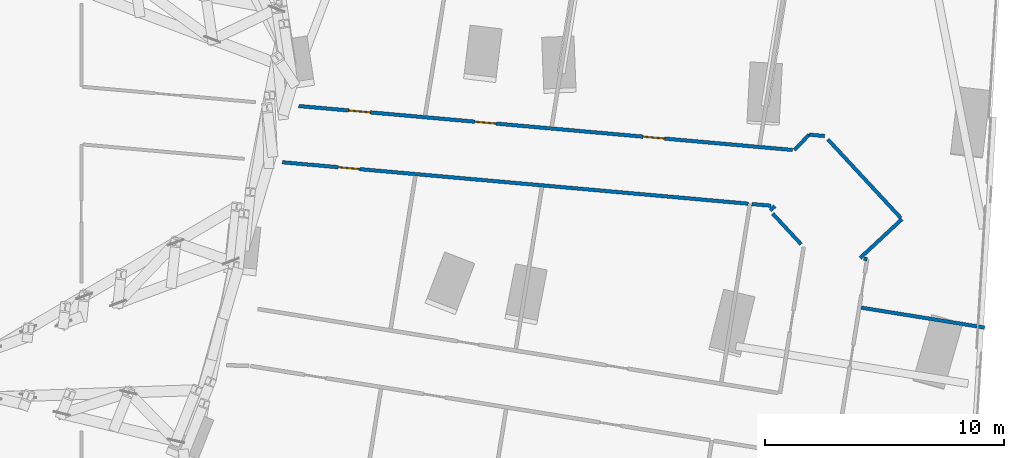
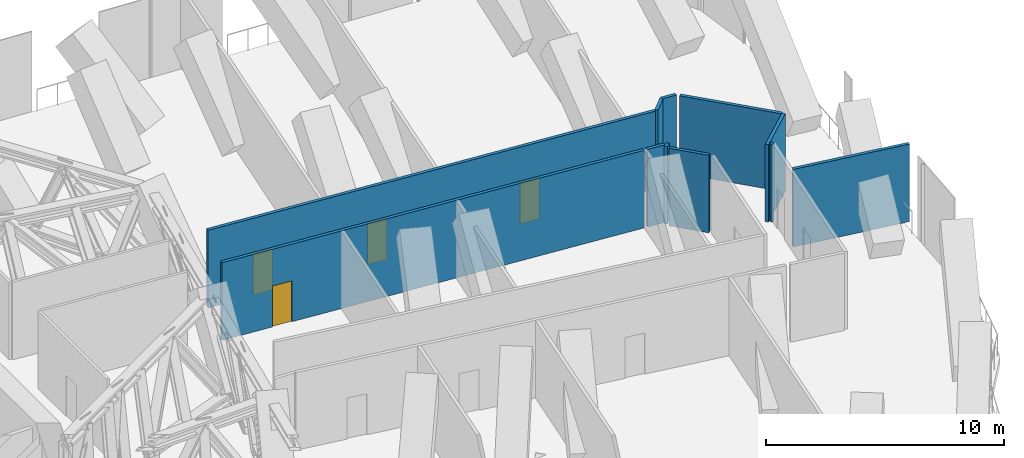
# One storey, part 31 of 39: 11 walls, 4 doors, 4 openings.
"""IFC4 building model written with IfcOpenShell, lengths in metres."""

from ifc_helpers import new_model, si_unit, direction, frame, frame_2d, origin, place, context, subcontext, project, spatial, rectangle, extrude, material, layer, layer_set, type_object, element, fill, save


model = new_model("IFC4")

# Units and contexts
model_context = context("Model", 3, precision=1e-05, world=origin(), true_north=direction((0.0, 1.0)))
body_context = subcontext(model_context, "Body", "Model", "MODEL_VIEW")
ifc_project = project(units=[si_unit("LENGTHUNIT", "METRE"), si_unit("AREAUNIT", "SQUARE_METRE"), si_unit("VOLUMEUNIT", "CUBIC_METRE"), si_unit("PLANEANGLEUNIT", "RADIAN"), si_unit("MASSUNIT", "GRAM", prefix="KILO")], contexts=[model_context])

# Site, building, storey
site_placement = place(None, origin())
site = spatial("IfcSite", under=ifc_project, at=site_placement, CompositionType="ELEMENT")
building_placement = place(site_placement, origin())
building = spatial("IfcBuilding", under=site, at=building_placement, Name="Orlundy Tower", CompositionType="ELEMENT")
storey_placement = place(building_placement, frame((0.0, 0.0, 141.199951171875)))
storey = spatial("IfcBuildingStorey", under=building, at=storey_placement, Name="L36", CompositionType="ELEMENT", Elevation=141.199951171875)

# Walls
ifc_material_1 = material(Name="Blockwork shaft wall", Category="masonry")
ifc_layer = layer(ifc_material_1, 0.14990234375)
ifc_layer_set = layer_set([ifc_layer], Name="Floor shaft wall 150")
wall_type = type_object("IfcWallType", Name="Floor shaft wall 150", PredefinedType="PARTITIONING", material=ifc_layer_set)
wall_1_placement = place(storey_placement, frame((51.552978515625, -2.528076171875, 0.0), z_axis=(0.0, 0.0, 1.0), x_axis=(0.680328051683, -0.732907730954, 0.0)))
element("IfcWall", 1, at=wall_1_placement, inside=storey, type_object=wall_type, Name="wall-int-L36-009", PredefinedType="PARTITIONING", context=body_context, shape_type="SweptSolid", body=[
    extrude(rectangle(XDim=1.75048828125, YDim=0.14990234375, at=frame_2d((0.875244140625, 0.0))), origin(), (0.0, 0.0, 1.0), 3.97998046875),
])
wall_2_placement = place(storey_placement, frame((53.862060546875, 0.571044921875, 0.0), z_axis=(0.0, 0.0, 1.0), x_axis=(0.680553713689, -0.732698193517, 0.0)))
element("IfcWall", 2, at=wall_2_placement, inside=storey, type_object=wall_type, Name="wall-int-L36-010", PredefinedType="PARTITIONING", context=body_context, shape_type="SweptSolid", body=[
    extrude(rectangle(XDim=4.47119140625, YDim=0.14990234375, at=frame_2d((2.235595703125, 0.0))), origin(), (0.0, 0.0, 1.0), 3.97998046875),
])
wall_3_placement = place(storey_placement, frame((55.251953125, -6.458984375, 0.0), z_axis=(0.0, 0.0, 1.0), x_axis=(0.987213656908, -0.1594026211, 0.0)))
element("IfcWall", 3, at=wall_3_placement, inside=storey, type_object=wall_type, Name="wall-int-L36-024", PredefinedType="PARTITIONING", context=body_context, shape_type="SweptSolid", body=[
    extrude(rectangle(XDim=5.23193359375, YDim=0.14990234375, at=frame_2d((2.615966796875, 0.0))), origin(), (0.0, 0.0, 1.0), 3.97998046875),
])
wall_4_placement = place(storey_placement, frame((55.35888671875, -4.409912109375, 0.0), z_axis=(0.0, 0.0, 1.0), x_axis=(0.987283513707, -0.158969379326, 0.0)))
element("IfcWall", 4, at=wall_4_placement, inside=storey, type_object=wall_type, Name="wall-int-L36-025", PredefinedType="PARTITIONING", context=body_context, shape_type="SweptSolid", body=[
    extrude(rectangle(XDim=0.14599609375, YDim=0.14990234375, at=frame_2d((0.072998046875, 0.0))), origin(), (0.0, 0.0, 1.0), 3.97998046875),
])

# Wall, opening, door
wall_5_placement = place(storey_placement, frame((50.532958984375, -2.114013671875, 0.0), z_axis=(0.0, 0.0, 1.0), x_axis=(-0.996066129814, 0.088613007162, 0.0)))
wall_5 = element("IfcWall", 5, at=wall_5_placement, inside=storey, type_object=wall_type, Name="wall-int-L36-028", PredefinedType="PARTITIONING", context=body_context, shape_type="SweptSolid", body=[
    extrude(rectangle(XDim=19.555908203125, YDim=0.14990234375, at=frame_2d((9.77783203125, 0.0))), origin(), (0.0, 0.0, 1.0), 3.97998046875),
])
opening_1_placement = place(wall_5_placement, frame((16.310302734375, 0.0, 0.0)))
opening_1 = element("IfcOpeningElement", 6, at=opening_1_placement, cuts=wall_5, Name="Opening 27105", PredefinedType="OPENING", context=body_context, shape_type="SweptSolid", body=[
    extrude(rectangle(XDim=0.89990234375, YDim=2.10009765625, at=frame_2d((0.449951171875, 1.050048828125))), frame((0.0, 0.0849609375, 0.0), z_axis=(0.0, -1.0, 0.0), x_axis=(1.0, 0.0, 0.0)), (0.0, 0.0, 1.0), 0.169921875),
])
ifc_material_2 = material(Name="Timber door leaf", Category="wood")
door_type = type_object("IfcDoorType", Name="Floor door single 900 FD60", OperationType="NOTDEFINED", PredefinedType="DOOR", material=ifc_material_2)
door_1_placement = place(opening_1_placement, origin())
door_1 = element("IfcDoor", 7, at=door_1_placement, inside=storey, type_object=door_type, Name="Door 27105", OperationType="SINGLE_SWING_RIGHT", OverallHeight=2.10009765625, OverallWidth=0.89990234375, PredefinedType="DOOR", context=body_context, shape_type="SweptSolid", body=[
    extrude(rectangle(XDim=0.89990234375, YDim=2.10009765625, at=frame_2d((0.449951171875, 1.050048828125))), frame((0.0, 0.02490234375, 0.0), z_axis=(0.0, -1.0, 0.0), x_axis=(1.0, 0.0, 0.0)), (0.0, 0.0, 1.0), 0.050048828125),
])
fill(opening_1, door_1)

# Wall
wall_6_placement = place(storey_placement, frame((50.68310546875, -2.1279296875, 0.0), z_axis=(0.0, 0.0, 1.0), x_axis=(0.996058889933, -0.088694350358, 0.0)))
element("IfcWall", 8, at=wall_6_placement, inside=storey, type_object=wall_type, Name="wall-int-L36-029", PredefinedType="PARTITIONING", context=body_context, shape_type="SweptSolid", body=[
    extrude(rectangle(XDim=0.801025390625, YDim=0.14990234375, at=frame_2d((0.400390625, 0.0))), origin(), (0.0, 0.0, 1.0), 3.97998046875),
])

# Wall, openings, doors
wall_7_placement = place(storey_placement, frame((31.740966796875, 1.968994140625, 0.0), z_axis=(0.0, 0.0, 1.0), x_axis=(0.99606607926, -0.088613575412, 0.0)))
wall_7 = element("IfcWall", 9, at=wall_7_placement, inside=storey, type_object=wall_type, Name="wall-int-L36-031", PredefinedType="PARTITIONING", context=body_context, shape_type="SweptSolid", body=[
    extrude(rectangle(XDim=20.718505859375, YDim=0.14990234375, at=frame_2d((10.359375, 0.0))), origin(), (0.0, 0.0, 1.0), 3.97998046875),
])
opening_2_placement = place(wall_7_placement, frame((2.10009765625, 0.0, 0.0)))
opening_2 = element("IfcOpeningElement", 10, at=opening_2_placement, cuts=wall_7, Name="Opening 27102", PredefinedType="OPENING", context=body_context, shape_type="SweptSolid", body=[
    extrude(rectangle(XDim=0.89990234375, YDim=2.10009765625, at=frame_2d((0.449951171875, 1.050048828125))), frame((0.0, 0.0849609375, 0.0), z_axis=(0.0, -1.0, 0.0), x_axis=(1.0, 0.0, 0.0)), (0.0, 0.0, 1.0), 0.169921875),
])
opening_3_placement = place(wall_7_placement, frame((7.391845703125, 0.0, 0.0)))
opening_3 = element("IfcOpeningElement", 11, at=opening_3_placement, cuts=wall_7, Name="Opening 27103", PredefinedType="OPENING", context=body_context, shape_type="SweptSolid", body=[
    extrude(rectangle(XDim=0.89990234375, YDim=2.10009765625, at=frame_2d((0.449951171875, 1.050048828125))), frame((0.0, 0.0849609375, 0.0), z_axis=(0.0, -1.0, 0.0), x_axis=(1.0, 0.0, 0.0)), (0.0, 0.0, 1.0), 0.169921875),
])
opening_4_placement = place(wall_7_placement, frame((14.45458984375, 0.0, 0.0)))
opening_4 = element("IfcOpeningElement", 12, at=opening_4_placement, cuts=wall_7, Name="Opening 27104", PredefinedType="OPENING", context=body_context, shape_type="SweptSolid", body=[
    extrude(rectangle(XDim=0.89990234375, YDim=2.10009765625, at=frame_2d((0.449951171875, 1.050048828125))), frame((0.0, 0.0849609375, 0.0), z_axis=(0.0, -1.0, 0.0), x_axis=(1.0, 0.0, 0.0)), (0.0, 0.0, 1.0), 0.169921875),
])
door_2_placement = place(opening_2_placement, origin())
door_2 = element("IfcDoor", 13, at=door_2_placement, inside=storey, type_object=door_type, Name="Door 27102", OperationType="SINGLE_SWING_LEFT", OverallHeight=2.10009765625, OverallWidth=0.89990234375, PredefinedType="DOOR", context=body_context, shape_type="SweptSolid", body=[
    extrude(rectangle(XDim=0.89990234375, YDim=2.10009765625, at=frame_2d((0.449951171875, 1.050048828125))), frame((0.0, 0.02490234375, 0.0), z_axis=(0.0, -1.0, 0.0), x_axis=(1.0, 0.0, 0.0)), (0.0, 0.0, 1.0), 0.050048828125),
])
fill(opening_2, door_2)
door_3_placement = place(opening_3_placement, origin())
door_3 = element("IfcDoor", 14, at=door_3_placement, inside=storey, type_object=door_type, Name="Door 27103", OperationType="SINGLE_SWING_LEFT", OverallHeight=2.10009765625, OverallWidth=0.89990234375, PredefinedType="DOOR", context=body_context, shape_type="SweptSolid", body=[
    extrude(rectangle(XDim=0.89990234375, YDim=2.10009765625, at=frame_2d((0.449951171875, 1.050048828125))), frame((0.0, 0.02490234375, 0.0), z_axis=(0.0, -1.0, 0.0), x_axis=(1.0, 0.0, 0.0)), (0.0, 0.0, 1.0), 0.050048828125),
])
fill(opening_3, door_3)
door_4_placement = place(opening_4_placement, origin())
door_4 = element("IfcDoor", 15, at=door_4_placement, inside=storey, type_object=door_type, Name="Door 27104", OperationType="SINGLE_SWING_RIGHT", OverallHeight=2.10009765625, OverallWidth=0.89990234375, PredefinedType="DOOR", context=body_context, shape_type="SweptSolid", body=[
    extrude(rectangle(XDim=0.89990234375, YDim=2.10009765625, at=frame_2d((0.449951171875, 1.050048828125))), frame((0.0, 0.02490234375, 0.0), z_axis=(0.0, -1.0, 0.0), x_axis=(1.0, 0.0, 0.0)), (0.0, 0.0, 1.0), 0.050048828125),
])
fill(opening_4, door_4)

# Walls
wall_8_placement = place(storey_placement, frame((53.0791015625, 0.77197265625, 0.0), z_axis=(0.0, 0.0, 1.0), x_axis=(0.996048367631, -0.0888124391, 0.0)))
element("IfcWall", 16, at=wall_8_placement, inside=storey, type_object=wall_type, Name="wall-int-L36-032", PredefinedType="PARTITIONING", context=body_context, shape_type="SweptSolid", body=[
    extrude(rectangle(XDim=0.651611328125, YDim=0.14990234375, at=frame_2d((0.32568359375, 0.0))), origin(), (0.0, 0.0, 1.0), 3.97998046875),
])
wall_9_placement = place(storey_placement, frame((55.2080078125, -4.385009765625, 0.0), z_axis=(0.0, 0.0, 1.0), x_axis=(0.732618540509, 0.680639459702, 0.0)))
element("IfcWall", 17, at=wall_9_placement, inside=storey, type_object=wall_type, Name="wall-int-L36-046", PredefinedType="PARTITIONING", context=body_context, shape_type="SweptSolid", body=[
    extrude(rectangle(XDim=2.385986328125, YDim=0.14990234375, at=frame_2d((1.19287109375, 0.0))), origin(), (0.0, 0.0, 1.0), 3.97998046875),
])
wall_10_placement = place(storey_placement, frame((51.455078125, -2.39404296875, 0.0), z_axis=(0.0, 0.0, 1.0), x_axis=(0.731209146759, 0.682153343242, 0.0)))
element("IfcWall", 18, at=wall_10_placement, inside=storey, type_object=wall_type, Name="wall-int-L36-047", PredefinedType="PARTITIONING", context=body_context, shape_type="SweptSolid", body=[
    extrude(rectangle(XDim=0.263671875, YDim=0.14990234375, at=frame_2d((0.1318359375, 0.0))), origin(), (0.0, 0.0, 1.0), 3.97998046875),
])
wall_11_placement = place(storey_placement, frame((52.452880859375, 0.125, 0.0), z_axis=(0.0, 0.0, 1.0), x_axis=(0.69548917447, 0.718536574014, 0.0)))
element("IfcWall", 19, at=wall_11_placement, inside=storey, type_object=wall_type, Name="wall-int-L36-068", PredefinedType="PARTITIONING", context=body_context, shape_type="SweptSolid", body=[
    extrude(rectangle(XDim=0.900390625, YDim=0.14990234375, at=frame_2d((0.4501953125, 0.0))), origin(), (0.0, 0.0, 1.0), 3.97998046875),
])

save(model, "model.ifc")
